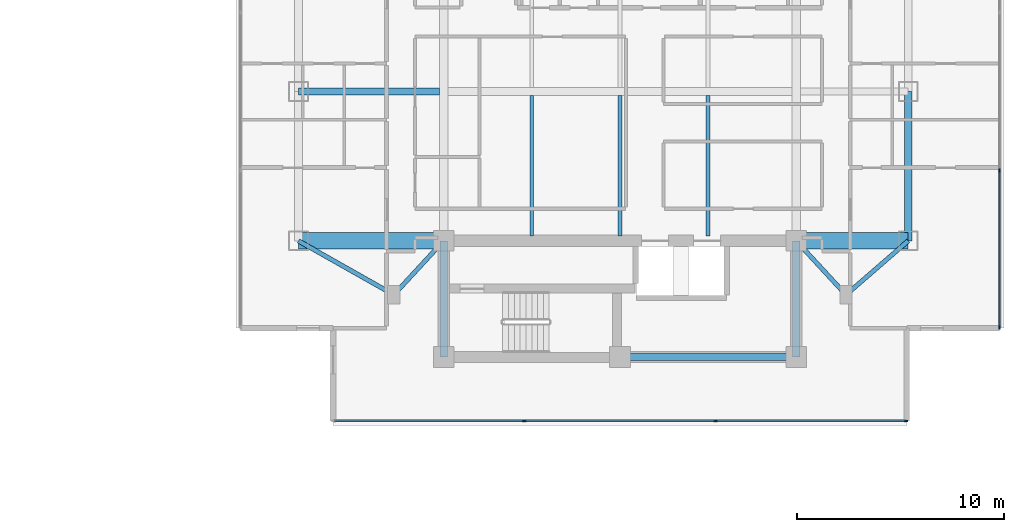
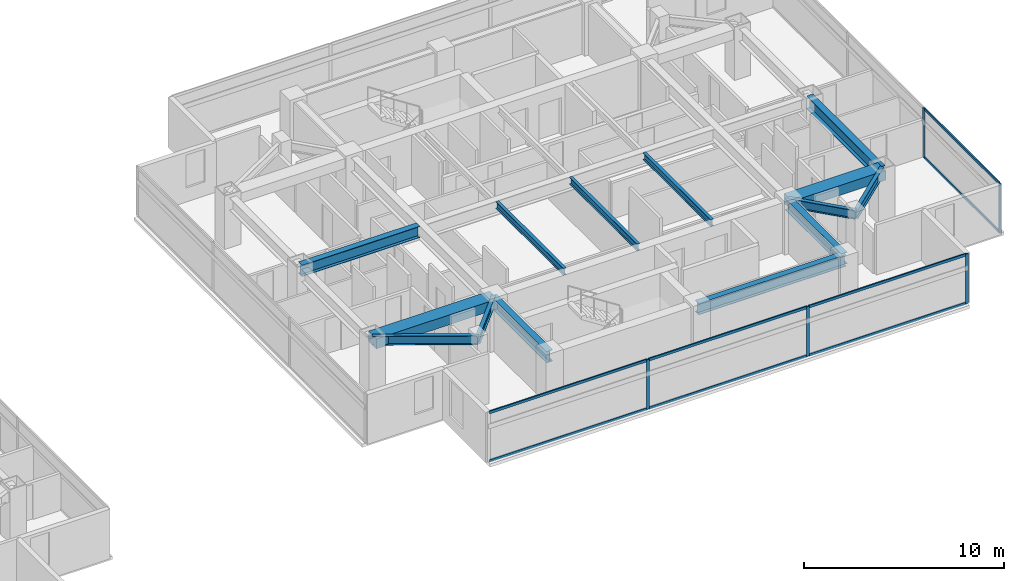
# One storey, part 8 of 25: 14 beams, 13 members, 2 elements without a shape of their own.
"""IFC4 building model written with IfcOpenShell, lengths in metres."""

from ifc_helpers import new_model, si_unit, direction, frame, origin, origin_2d, place, context, subcontext, project, spatial, rectangle, i_section, extrude, material, material_profile, profile_set, type_object, element, aggregate, save


model = new_model("IFC4")

# Units and contexts
model_context = context("Model", 3, precision=1e-05, world=origin(), true_north=direction((0.0, 1.0)))
body_context = subcontext(model_context, "Body", "Model", "MODEL_VIEW")
ifc_project = project(units=[si_unit("LENGTHUNIT", "METRE"), si_unit("AREAUNIT", "SQUARE_METRE"), si_unit("VOLUMEUNIT", "CUBIC_METRE"), si_unit("PLANEANGLEUNIT", "RADIAN"), si_unit("MASSUNIT", "GRAM", prefix="KILO")], contexts=[model_context])

# Site, building, storey
site_placement = place(None, origin())
site = spatial("IfcSite", under=ifc_project, at=site_placement, CompositionType="ELEMENT")
building_placement = place(site_placement, origin())
building = spatial("IfcBuilding", under=site, at=building_placement, Name="Mirazonda Arch Towers", CompositionType="ELEMENT")
storey_placement = place(building_placement, frame((0.0, 0.0, 177.14990234375)))
storey = spatial("IfcBuildingStorey", under=building, at=storey_placement, Name="L50", CompositionType="ELEMENT", Elevation=177.14990234375)

# Beams
ifc_material_1 = material(Name="Steel ASTM A992 Grade 50", Category="steel")
ifc_material_profile_1 = material_profile(ifc_material_1, i_section(OverallWidth=0.381103515625, OverallDepth=0.77294921875, WebThickness=0.0166015625, FlangeThickness=0.027099609375, at=origin_2d()), Name="W30X173")
ifc_profile_set_1 = profile_set([ifc_material_profile_1], Name="Steel ASTM A992 Grade 50")
beam_type_1 = type_object("IfcBeamType", Name="BM-EXT-W30X173", PredefinedType="USERDEFINED", material=ifc_profile_set_1)
beam_1_placement = place(storey_placement, frame((90.39990234375, 20.800048828125, 2.66357421875), z_axis=(0.0, 1.0, 0.0), x_axis=(-1.0, 0.0, 0.0)))
element("IfcBeam", 1, at=beam_1_placement, inside=storey, type_object=beam_type_1, Name="L50 Floor Beam BM-T2-L50-NS-E-20", ObjectType="GIRDER", PredefinedType="USERDEFINED", context=body_context, shape_type="SweptSolid", body=[
    extrude(i_section(OverallWidth=0.381103515625, OverallDepth=0.77294921875, WebThickness=0.0166015625, FlangeThickness=0.027099609375, at=origin_2d()), origin(), (0.0, 0.0, 1.0), 7.199951171875),
])
ifc_material_profile_2 = material_profile(ifc_material_1, i_section(OverallWidth=0.180908203125, OverallDepth=0.4169921875, WebThickness=0.010986328125, FlangeThickness=0.018310546875, at=origin_2d()), Name="W16X57")
ifc_profile_set_2 = profile_set([ifc_material_profile_2], Name="Steel ASTM A992 Grade 50")
beam_type_2 = type_object("IfcBeamType", Name="BM-INT-W16X57", PredefinedType="JOIST", material=ifc_profile_set_2)
for number, where, z_axis, x_axis, name in (
    (2, (72.25, 21.0400390625, 2.841552734375), (0.0, 1.0, 0.0), (-1.0, 0.0, 0.0), "L50 Floor Beam BM-T2-L50-J-722-20"),
    (3, (76.5, 21.0400390625, 2.841552734375), (0.0, 1.0, 0.0), (-1.0, 0.0, 0.0), "L50 Floor Beam BM-T2-L50-J-765-20"),
    (4, (80.75, 21.0400390625, 2.841552734375), (0.0, 1.0, 0.0), (-1.0, 0.0, 0.0), "L50 Floor Beam BM-T2-L50-J-807-20"),
):
    element("IfcBeam", number, at=place(storey_placement, frame(where, z_axis=z_axis, x_axis=x_axis)), inside=storey, type_object=beam_type_2, Name=name, PredefinedType="JOIST", context=body_context, shape_type="SweptSolid", body=[
        extrude(i_section(OverallWidth=0.180908203125, OverallDepth=0.4169921875, WebThickness=0.010986328125, FlangeThickness=0.018310546875, at=origin_2d()), origin(), (0.0, 0.0, 1.0), 6.763916015625),
    ])
ifc_material_profile_3 = material_profile(ifc_material_1, i_section(OverallWidth=0.214111328125, OverallDepth=0.549072265625, WebThickness=0.0146484375, FlangeThickness=0.023681640625, at=origin_2d()), Name="W21X93")
ifc_profile_set_3 = profile_set([ifc_material_profile_3], Name="Steel ASTM A992 Grade 50")
beam_type_3 = type_object("IfcBeamType", Name="BM-INT-W21X93", PredefinedType="BEAM", material=ifc_profile_set_3)
beam_2_placement = place(storey_placement, frame((65.60009765625, 18.199951171875, 2.775634765625), z_axis=(0.678251444854, 0.734829897019, 0.0), x_axis=(-0.734829897019, 0.678251444854, 0.0)))
element("IfcBeam", 5, at=beam_2_placement, inside=storey, type_object=beam_type_3, Name="L50 Floor Beam BM-T2-L50-PL-SW1", PredefinedType="BEAM", context=body_context, shape_type="SweptSolid", body=[
    extrude(i_section(OverallWidth=0.214111328125, OverallDepth=0.549072265625, WebThickness=0.0146484375, FlangeThickness=0.023681640625, at=origin_2d()), origin(), (0.0, 0.0, 1.0), 3.538330078125),
])
beam_3_placement = place(storey_placement, frame((65.60009765625, 18.199951171875, 2.775634765625), z_axis=(-0.870559396632, 0.492063346467, 0.0), x_axis=(-0.492063346467, -0.870559396632, 0.0)))
element("IfcBeam", 6, at=beam_3_placement, inside=storey, type_object=beam_type_3, Name="L50 Floor Beam BM-T2-L50-PL-SW2", PredefinedType="BEAM", context=body_context, shape_type="SweptSolid", body=[
    extrude(i_section(OverallWidth=0.214111328125, OverallDepth=0.549072265625, WebThickness=0.0146484375, FlangeThickness=0.023681640625, at=origin_2d()), origin(), (0.0, 0.0, 1.0), 5.2841796875),
])
beam_4_placement = place(storey_placement, frame((87.39990234375, 18.199951171875, 2.775634765625), z_axis=(-0.678251444854, 0.734829897019, 0.0), x_axis=(-0.734829897019, -0.678251444854, 0.0)))
element("IfcBeam", 7, at=beam_4_placement, inside=storey, type_object=beam_type_3, Name="L50 Floor Beam BM-T2-L50-PL-SE1", PredefinedType="BEAM", context=body_context, shape_type="SweptSolid", body=[
    extrude(i_section(OverallWidth=0.214111328125, OverallDepth=0.549072265625, WebThickness=0.0146484375, FlangeThickness=0.023681640625, at=origin_2d()), origin(), (0.0, 0.0, 1.0), 3.538330078125),
])
beam_5_placement = place(storey_placement, frame((87.39990234375, 18.199951171875, 2.775634765625), z_axis=(0.755676908098, 0.654944585876, 0.0), x_axis=(-0.654944585876, 0.755676908098, 0.0)))
element("IfcBeam", 8, at=beam_5_placement, inside=storey, type_object=beam_type_3, Name="L50 Floor Beam BM-T2-L50-PL-SE2", PredefinedType="BEAM", context=body_context, shape_type="SweptSolid", body=[
    extrude(i_section(OverallWidth=0.214111328125, OverallDepth=0.549072265625, WebThickness=0.0146484375, FlangeThickness=0.023681640625, at=origin_2d()), origin(), (0.0, 0.0, 1.0), 3.969970703125),
])
ifc_material_profile_4 = material_profile(ifc_material_1, i_section(OverallWidth=0.35498046875, OverallDepth=0.696044921875, WebThickness=0.015380859375, FlangeThickness=0.02490234375, at=origin_2d()), Name="W27X146")
ifc_profile_set_4 = profile_set([ifc_material_profile_4], Name="Steel ASTM A992 Grade 50")
beam_type_4 = type_object("IfcBeamType", Name="BM-INT-W27X146", PredefinedType="BEAM", material=ifc_profile_set_4)
beam_6_placement = place(storey_placement, frame((76.5, 15.199951171875, 2.7021484375), z_axis=(1.0, 0.0, 0.0), x_axis=(0.0, 1.0, 0.0)))
element("IfcBeam", 9, at=beam_6_placement, inside=storey, type_object=beam_type_4, Name="L50 Floor Beam BM-T2-L50-CS2", PredefinedType="BEAM", context=body_context, shape_type="SweptSolid", body=[
    extrude(i_section(OverallWidth=0.35498046875, OverallDepth=0.696044921875, WebThickness=0.015380859375, FlangeThickness=0.02490234375, at=origin_2d()), origin(), (0.0, 0.0, 1.0), 8.5),
])
for number, where, z_axis, x_axis, name in (
    (10, (68.0, 15.199951171875, 2.7021484375), (0.0, 1.0, 0.0), (-1.0, 0.0, 0.0), "L50 Floor Beam BM-T2-L50-CSW"),
    (11, (85.0, 15.199951171875, 2.7021484375), (0.0, 1.0, 0.0), (-1.0, 0.0, 0.0), "L50 Floor Beam BM-T2-L50-CSE"),
):
    element("IfcBeam", number, at=place(storey_placement, frame(where, z_axis=z_axis, x_axis=x_axis)), inside=storey, type_object=beam_type_4, Name=name, PredefinedType="BEAM", context=body_context, shape_type="SweptSolid", body=[
        extrude(i_section(OverallWidth=0.35498046875, OverallDepth=0.696044921875, WebThickness=0.015380859375, FlangeThickness=0.02490234375, at=origin_2d()), origin(), (0.0, 0.0, 1.0), 5.60009765625),
    ])
beam_7_placement = place(storey_placement, frame((61.0, 28.0, 2.7021484375), z_axis=(1.0, 0.0, 0.0), x_axis=(0.0, 1.0, 0.0)))
element("IfcBeam", 12, at=beam_7_placement, inside=storey, type_object=beam_type_4, Name="L50 Floor Beam BM-T2-L50-GW2", PredefinedType="BEAM", context=body_context, shape_type="SweptSolid", body=[
    extrude(i_section(OverallWidth=0.35498046875, OverallDepth=0.696044921875, WebThickness=0.015380859375, FlangeThickness=0.02490234375, at=origin_2d()), origin(), (0.0, 0.0, 1.0), 6.800048828125),
])
ifc_material_2 = material(Name="Concrete C60/75", Category="concrete")
ifc_material_profile_5 = material_profile(ifc_material_2, rectangle(XDim=0.800048828125, YDim=0.60009765625, at=origin_2d()), Name="RCCB800x600")
ifc_profile_set_5 = profile_set([ifc_material_profile_5], Name="Concrete C60/75")
beam_type_5 = type_object("IfcBeamType", Name="CB-INT-RCCB800x600", PredefinedType="SPANDREL", material=ifc_profile_set_5)
beam_8_placement = place(storey_placement, frame((61.0, 20.800048828125, 2.75), z_axis=(1.0, 0.0, 0.0), x_axis=(0.0, 1.0, 0.0)))
element("IfcBeam", 13, at=beam_8_placement, inside=storey, type_object=beam_type_5, Name="L50 Floor Beam CBC-T2-L50-SW", PredefinedType="SPANDREL", context=body_context, shape_type="SweptSolid", body=[
    extrude(rectangle(XDim=0.800048828125, YDim=0.60009765625, at=origin_2d()), origin(), (0.0, 0.0, 1.0), 7.0),
])
beam_9_placement = place(storey_placement, frame((85.0, 20.800048828125, 2.75), z_axis=(1.0, 0.0, 0.0), x_axis=(0.0, 1.0, 0.0)))
element("IfcBeam", 14, at=beam_9_placement, inside=storey, type_object=beam_type_5, Name="L50 Floor Beam CBC-T2-L50-SE", PredefinedType="SPANDREL", context=body_context, shape_type="SweptSolid", body=[
    extrude(rectangle(XDim=0.800048828125, YDim=0.60009765625, at=origin_2d()), origin(), (0.0, 0.0, 1.0), 5.39990234375),
])

# Curtain wall, members
ifc_material_3 = material(Name="Anodised Aluminium and Low-E Glass", Category="aluminium")
curtain_wall_type = type_object("IfcCurtainWallType", Name="CW-RES-UNIT", PredefinedType="NOTDEFINED", material=ifc_material_3)
curtain_wall_1_placement = place(storey_placement, origin())
curtain_wall_1 = element("IfcCurtainWall", 15, at=curtain_wall_1_placement, inside=storey, type_object=curtain_wall_type, Name="L50 T2 S Facade CW-L50-T2-S", PredefinedType="NOTDEFINED")
ifc_material_4 = material(Name="Anodised Aluminium Alloy", Category="aluminium")
ifc_material_profile_6 = material_profile(ifc_material_4, rectangle(XDim=0.074951171875, YDim=0.175048828125, at=origin_2d()), Name="ALU-MULL-75x175")
ifc_profile_set_6 = profile_set([ifc_material_profile_6], Name="Anodised Aluminium Alloy")
member_type_1 = type_object("IfcMemberType", Name="MULL-CW-RES-UNIT", PredefinedType="MULLION", material=ifc_profile_set_6)
member_1_placement = place(storey_placement, frame((90.2958984375, 12.12548828125, 0.0), z_axis=(0.0, 0.0, 1.0), x_axis=(0.0, -1.0, 0.0)))
member_1 = element("IfcMember", 16, at=member_1_placement, type_object=member_type_1, Name="CW-104 mullion 1", PredefinedType="MULLION", context=body_context, shape_type="SweptSolid", body=[
    extrude(rectangle(XDim=0.074951171875, YDim=0.175048828125, at=origin_2d()), origin(), (0.0, 0.0, 1.0), 3.030029296875),
])
member_2_placement = place(storey_placement, frame((81.111083984375, 12.12548828125, 0.0), z_axis=(0.0, 0.0, 1.0), x_axis=(0.0, -1.0, 0.0)))
member_2 = element("IfcMember", 17, at=member_2_placement, type_object=member_type_1, Name="CW-104 mullion 2", PredefinedType="MULLION", context=body_context, shape_type="SweptSolid", body=[
    extrude(rectangle(XDim=0.074951171875, YDim=0.175048828125, at=origin_2d()), origin(), (0.0, 0.0, 1.0), 3.030029296875),
])
member_3_placement = place(storey_placement, frame((71.888916015625, 12.12548828125, 0.0), z_axis=(0.0, 0.0, 1.0), x_axis=(0.0, -1.0, 0.0)))
member_3 = element("IfcMember", 18, at=member_3_placement, type_object=member_type_1, Name="CW-104 mullion 3", PredefinedType="MULLION", context=body_context, shape_type="SweptSolid", body=[
    extrude(rectangle(XDim=0.074951171875, YDim=0.175048828125, at=origin_2d()), origin(), (0.0, 0.0, 1.0), 3.030029296875),
])

curtain_wall_2_placement = place(storey_placement, origin())
curtain_wall_2 = element("IfcCurtainWall", 19, at=curtain_wall_2_placement, inside=storey, type_object=curtain_wall_type, Name="L50 T2 E Facade CW-L50-T2-E", PredefinedType="NOTDEFINED")
member_4_placement = place(storey_placement, frame((94.798583984375, 16.628173828125, 0.0), z_axis=(0.0, 0.0, 1.0), x_axis=(-1.0, 0.0, 0.0)))
member_4 = element("IfcMember", 20, at=member_4_placement, type_object=member_type_1, Name="CW-104 mullion 1", PredefinedType="MULLION", context=body_context, shape_type="SweptSolid", body=[
    extrude(rectangle(XDim=0.074951171875, YDim=0.175048828125, at=origin_2d()), origin(), (0.0, 0.0, 1.0), 3.030029296875),
])
member_5_placement = place(storey_placement, frame((94.798583984375, 24.19677734375, 0.0), z_axis=(0.0, 0.0, 1.0), x_axis=(-1.0, 0.0, 0.0)))
member_5 = element("IfcMember", 21, at=member_5_placement, type_object=member_type_1, Name="CW-104 mullion 2", PredefinedType="MULLION", context=body_context, shape_type="SweptSolid", body=[
    extrude(rectangle(XDim=0.074951171875, YDim=0.175048828125, at=origin_2d()), origin(), (0.0, 0.0, 1.0), 3.030029296875),
])

# Member
ifc_material_profile_7 = material_profile(ifc_material_4, rectangle(XDim=0.074951171875, YDim=0.155029296875, at=origin_2d()), Name="ALU-TRAN-75x155")
ifc_profile_set_7 = profile_set([ifc_material_profile_7], Name="Anodised Aluminium Alloy")
member_type_2 = type_object("IfcMemberType", Name="TRAN-CW-RES-UNIT", PredefinedType="USERDEFINED", material=ifc_profile_set_7)
member_6_placement = place(storey_placement, frame((90.25830078125, 12.12548828125, 0.03759765625), z_axis=(-1.0, 0.0, 0.0), x_axis=(0.0, -1.0, 0.0)))
member_6 = element("IfcMember", 22, at=member_6_placement, type_object=member_type_2, Name="CW-104 transom 1.1", ObjectType="TRANSOM", PredefinedType="USERDEFINED", context=body_context, shape_type="SweptSolid", body=[
    extrude(rectangle(XDim=0.074951171875, YDim=0.155029296875, at=origin_2d()), origin(), (0.0, 0.0, 1.0), 9.109619140625),
])

member_7_placement = place(storey_placement, frame((90.25830078125, 12.12548828125, 2.99267578125), z_axis=(-1.0, 0.0, 0.0), x_axis=(0.0, -1.0, 0.0)))
member_7 = element("IfcMember", 23, at=member_7_placement, type_object=member_type_2, Name="CW-104 transom 1.2", ObjectType="TRANSOM", PredefinedType="USERDEFINED", context=body_context, shape_type="SweptSolid", body=[
    extrude(rectangle(XDim=0.074951171875, YDim=0.155029296875, at=origin_2d()), origin(), (0.0, 0.0, 1.0), 9.109619140625),
])

member_8_placement = place(storey_placement, frame((81.073486328125, 12.12548828125, 0.03759765625), z_axis=(-1.0, 0.0, 0.0), x_axis=(0.0, -1.0, 0.0)))
member_8 = element("IfcMember", 24, at=member_8_placement, type_object=member_type_2, Name="CW-104 transom 2.1", ObjectType="TRANSOM", PredefinedType="USERDEFINED", context=body_context, shape_type="SweptSolid", body=[
    extrude(rectangle(XDim=0.074951171875, YDim=0.155029296875, at=origin_2d()), origin(), (0.0, 0.0, 1.0), 9.14697265625),
])

member_9_placement = place(storey_placement, frame((81.073486328125, 12.12548828125, 2.99267578125), z_axis=(-1.0, 0.0, 0.0), x_axis=(0.0, -1.0, 0.0)))
member_9 = element("IfcMember", 25, at=member_9_placement, type_object=member_type_2, Name="CW-104 transom 2.2", ObjectType="TRANSOM", PredefinedType="USERDEFINED", context=body_context, shape_type="SweptSolid", body=[
    extrude(rectangle(XDim=0.074951171875, YDim=0.155029296875, at=origin_2d()), origin(), (0.0, 0.0, 1.0), 9.14697265625),
])

member_10_placement = place(storey_placement, frame((71.851318359375, 12.12548828125, 0.03759765625), z_axis=(-1.0, 0.0, 0.0), x_axis=(0.0, -1.0, 0.0)))
member_10 = element("IfcMember", 26, at=member_10_placement, type_object=member_type_2, Name="CW-104 transom 3.1", ObjectType="TRANSOM", PredefinedType="USERDEFINED", context=body_context, shape_type="SweptSolid", body=[
    extrude(rectangle(XDim=0.074951171875, YDim=0.155029296875, at=origin_2d()), origin(), (0.0, 0.0, 1.0), 9.109619140625),
])

member_11_placement = place(storey_placement, frame((71.851318359375, 12.12548828125, 2.99267578125), z_axis=(-1.0, 0.0, 0.0), x_axis=(0.0, -1.0, 0.0)))
member_11 = element("IfcMember", 27, at=member_11_placement, type_object=member_type_2, Name="CW-104 transom 3.2", ObjectType="TRANSOM", PredefinedType="USERDEFINED", context=body_context, shape_type="SweptSolid", body=[
    extrude(rectangle(XDim=0.074951171875, YDim=0.155029296875, at=origin_2d()), origin(), (0.0, 0.0, 1.0), 9.109619140625),
])

aggregate(curtain_wall_1, [member_1, member_2, member_3, member_6, member_7, member_8, member_9, member_10, member_11])

member_12_placement = place(storey_placement, frame((94.798583984375, 16.66552734375, 0.03759765625), z_axis=(0.0, 1.0, 0.0), x_axis=(-1.0, 0.0, 0.0)))
member_12 = element("IfcMember", 28, at=member_12_placement, type_object=member_type_2, Name="CW-104 transom 1.1", ObjectType="TRANSOM", PredefinedType="USERDEFINED", context=body_context, shape_type="SweptSolid", body=[
    extrude(rectangle(XDim=0.074951171875, YDim=0.155029296875, at=origin_2d()), origin(), (0.0, 0.0, 1.0), 7.493896484375),
])

member_13_placement = place(storey_placement, frame((94.798583984375, 16.66552734375, 2.99267578125), z_axis=(0.0, 1.0, 0.0), x_axis=(-1.0, 0.0, 0.0)))
member_13 = element("IfcMember", 29, at=member_13_placement, type_object=member_type_2, Name="CW-104 transom 1.2", ObjectType="TRANSOM", PredefinedType="USERDEFINED", context=body_context, shape_type="SweptSolid", body=[
    extrude(rectangle(XDim=0.074951171875, YDim=0.155029296875, at=origin_2d()), origin(), (0.0, 0.0, 1.0), 7.493896484375),
])

aggregate(curtain_wall_2, [member_4, member_5, member_12, member_13])

save(model, "model.ifc")
